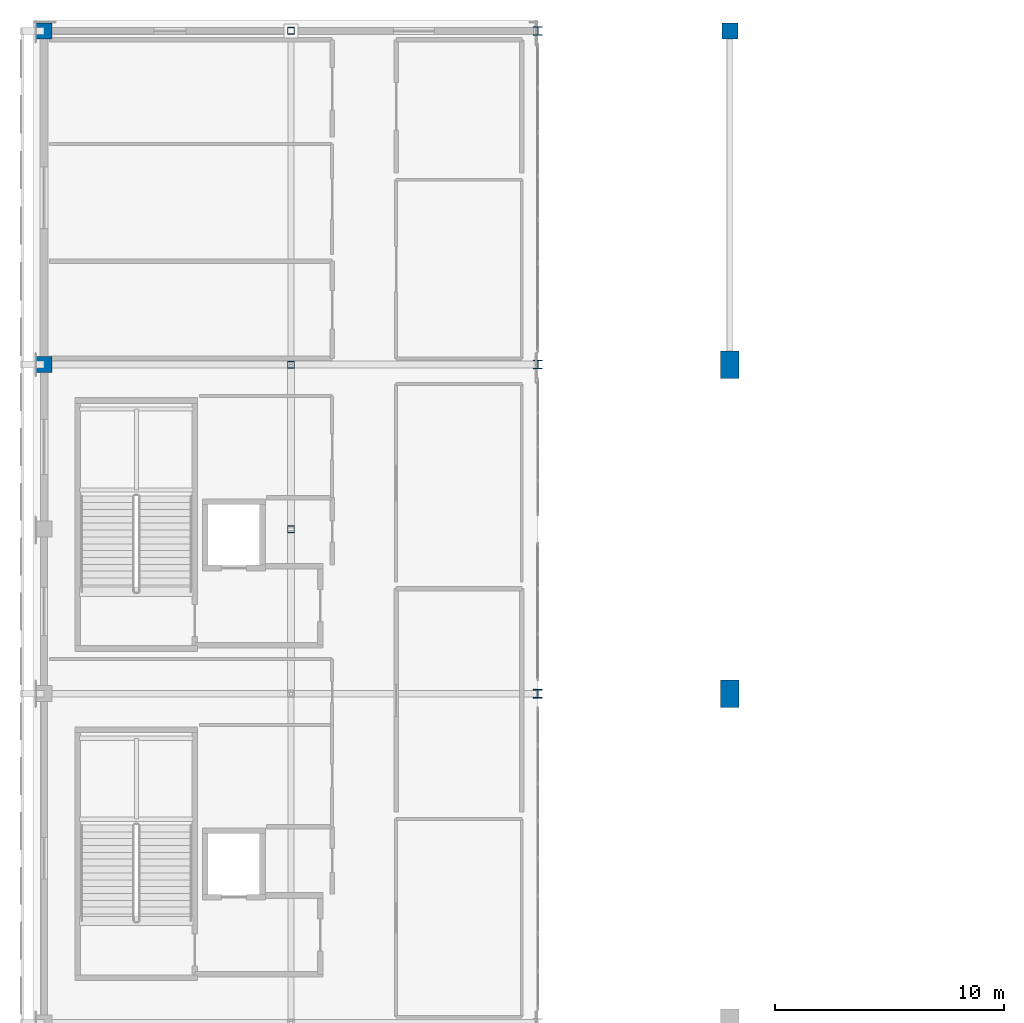
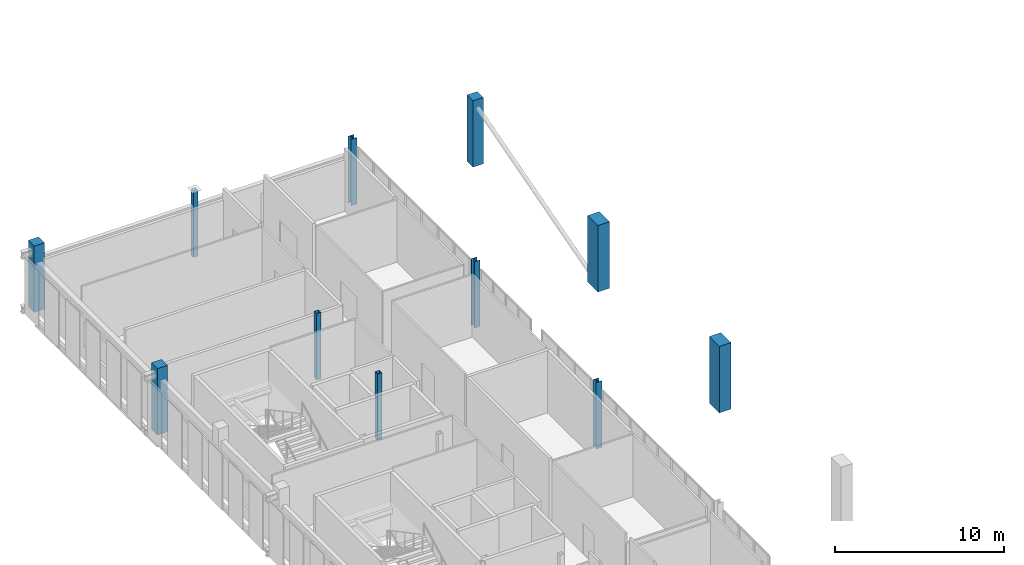
# One storey, part 3 of 51: 11 columns.
"""IFC4 building model written with IfcOpenShell, lengths in metres."""

import ifcopenshell
import ifcopenshell.guid

model = None  # the IFC model being written
_history = None  # IfcOwnerHistory: only IFC2X3 demands one
_inside = {}  # id of a spatial element -> (the spatial element, [elements in it])
_under = {}  # id of a project, library or spatial element -> (it, [spatial elements below it])
_declared = {}  # id of a project -> (the project, [libraries it declares])
_typed = {}  # id of a type object -> (the type object, [elements of that type])
_made_of = {}  # id of a material, layer set ... -> (it, [elements and type objects made of it])


def new_model(schema):
    """Start an empty IFC model of exactly this schema.

    Asked for "IFC4X3", IfcOpenShell would pick the latest addendum, in which some entities
    have other attributes; the version numbers below select the first issue.
    IFC2X3 requires an IfcOwnerHistory on every rooted entity: one is made here for all.
    """
    global model, _history
    if schema == "IFC4X3":
        model = ifcopenshell.file(schema_version=(4, 3, 0, 0))
    else:
        model = ifcopenshell.file(schema=schema)
    _inside.clear()
    _under.clear()
    _declared.clear()
    _typed.clear()
    _made_of.clear()
    _history = None
    if model.schema == "IFC2X3":
        org = make("IfcOrganization", Name="unknown")
        user = make(
            "IfcPersonAndOrganization",
            ThePerson=make("IfcPerson", FamilyName="unknown"),
            TheOrganization=org,
        )
        app = make(
            "IfcApplication",
            ApplicationDeveloper=org,
            Version="unknown",
            ApplicationFullName="unknown",
            ApplicationIdentifier="unknown",
        )
        _history = make(
            "IfcOwnerHistory",
            OwningUser=user,
            OwningApplication=app,
            ChangeAction="ADDED",
            CreationDate=0,
        )
    return model


def make(cls, **values):
    """One entity of the class cls with the attributes given. An attribute that is None is left unset."""
    return model.create_entity(
        cls, **{name: value for name, value in values.items() if value is not None}
    )


def rooted(cls, **values):
    """An entity with a GlobalId (a new one), such as an element, a storey or a relation."""
    return make(cls, GlobalId=ifcopenshell.guid.new(), OwnerHistory=_history, **values)


def si_unit(unit_type, name, prefix=None):
    """IfcSIUnit, for example si_unit("LENGTHUNIT", "METRE", prefix="MILLI")."""
    return make("IfcSIUnit", UnitType=unit_type, Prefix=prefix, Name=name)


def assignment(units):
    """IfcUnitAssignment: the units of a project."""
    return None if units is None else make("IfcUnitAssignment", Units=units)


def point(xyz):
    """IfcCartesianPoint."""
    return None if xyz is None else make("IfcCartesianPoint", Coordinates=xyz)


def direction(xyz):
    """IfcDirection."""
    return None if xyz is None else make("IfcDirection", DirectionRatios=xyz)


def frame(location, z_axis=None, x_axis=None):
    """IfcAxis2Placement3D, a coordinate frame: its origin and axes. An axis left out is left unset."""
    return make(
        "IfcAxis2Placement3D",
        Location=point(location),
        Axis=direction(z_axis),
        RefDirection=direction(x_axis),
    )


def frame_2d(location, x_axis=None):
    """IfcAxis2Placement2D, a coordinate frame in the plane: its origin and x axis."""
    return make(
        "IfcAxis2Placement2D", Location=point(location), RefDirection=direction(x_axis)
    )


def origin():
    """The frame at (0, 0, 0) with its axes left unset."""
    return frame((0.0, 0.0, 0.0))


def origin_2d():
    """The frame at (0, 0) in the plane with its x axis left unset."""
    return frame_2d((0.0, 0.0))


def place(relative_to, where):
    """IfcLocalPlacement: puts the frame where relative to a parent placement (None: the world)."""
    return make(
        "IfcLocalPlacement", PlacementRelTo=relative_to, RelativePlacement=where
    )


def context(
    kind, dimensions, precision=None, world=None, true_north=None, identifier=None
):
    """IfcGeometricRepresentationContext, for example the 3D "Model" context."""
    return make(
        "IfcGeometricRepresentationContext",
        ContextIdentifier=identifier,
        ContextType=kind,
        CoordinateSpaceDimension=dimensions,
        Precision=precision,
        WorldCoordinateSystem=world,
        TrueNorth=true_north,
    )


def subcontext(parent, identifier, kind, view, scale=None):
    """IfcGeometricRepresentationSubContext, for example "Body" below "Model"."""
    return make(
        "IfcGeometricRepresentationSubContext",
        ContextIdentifier=identifier,
        ContextType=kind,
        ParentContext=parent,
        TargetScale=scale,
        TargetView=view,
    )


def project(units=None, contexts=None):
    """IfcProject with its units and contexts."""
    return rooted(
        "IfcProject",
        Name="project",
        RepresentationContexts=contexts,
        UnitsInContext=assignment(units),
    )


def spatial(cls, under=None, at=None, **own):
    """A site, building, storey or space (cls), placed at a placement, below another one or the project."""
    s = rooted(cls, ObjectPlacement=at, **own)
    if under is not None:
        _under.setdefault(under.id(), (under, []))[1].append(s)
    return s


def profile(cls, at=None, kind="AREA", **sizes):
    """A parametric profile (cls). Its sizes go by their IFC names, for example OverallWidth=200.0."""
    return make(cls, ProfileType=kind, Position=at, **sizes)


def rectangle(**sizes):
    """IfcRectangleProfileDef."""
    return profile("IfcRectangleProfileDef", **sizes)


def hollow_rectangle(**sizes):
    """IfcRectangleHollowProfileDef."""
    return profile("IfcRectangleHollowProfileDef", **sizes)


def i_section(**sizes):
    """IfcIShapeProfileDef."""
    return profile("IfcIShapeProfileDef", **sizes)


def extrude(swept, where, along, depth):
    """IfcExtrudedAreaSolid: the profile swept, set in the frame where, extruded along a direction by depth."""
    return make(
        "IfcExtrudedAreaSolid",
        SweptArea=swept,
        Position=where,
        ExtrudedDirection=direction(along),
        Depth=depth,
    )


def shape(context_of_items, identifier, shape_type, items):
    """IfcShapeRepresentation: the items that make up one representation, for example the "Body"."""
    return make(
        "IfcShapeRepresentation",
        ContextOfItems=context_of_items,
        RepresentationIdentifier=identifier,
        RepresentationType=shape_type,
        Items=items,
    )


def material(Name=None, Category=None):
    """IfcMaterial."""
    return make("IfcMaterial", Name=Name, Category=Category)


def material_profile(
    of_material, cross_section, Name=None, Category=None, Priority=None
):
    """IfcMaterialProfile: a cross section and its material."""
    return make(
        "IfcMaterialProfile",
        Name=Name,
        Material=of_material,
        Profile=cross_section,
        Priority=Priority,
        Category=Category,
    )


def profile_set(profiles, Name=None, composite=None):
    """IfcMaterialProfileSet."""
    return make(
        "IfcMaterialProfileSet",
        Name=Name,
        MaterialProfiles=profiles,
        CompositeProfile=composite,
    )


def made_of(thing, what):
    """Note that an element or type object is made of a material, layer set ...; save() writes the relation."""
    if what is not None:
        _made_of.setdefault(what.id(), (what, []))[1].append(thing)
    return thing


def type_object(cls, material=None, **own):
    """A type object (cls), such as IfcWallType, which elements share."""
    return made_of(rooted(cls, **own), material)


def element(
    cls,
    number,
    at=None,
    inside=None,
    cuts=None,
    type_object=None,
    material=None,
    context=None,
    identifier="Body",
    shape_type=None,
    held_by="IfcProductDefinitionShape",
    body=None,
    shapes=None,
    **own,
):
    """One element of the class cls, such as IfcWall. Its Tag is "e" and its number.

    at: its placement. inside: the storey or other place that contains it. cuts: it is an
    opening in that element (IfcRelVoidsElement). A single representation is given by context,
    identifier, shape_type and body (its items); several are given by shapes. held_by: the class
    of the entity that holds the representations. save() writes the other relations.
    """
    e = rooted(cls, Tag="e%d" % number, ObjectPlacement=at, **own)
    if body is not None:
        shapes = [shape(context, identifier, shape_type, body)]
    if shapes is not None:
        e.Representation = make(held_by, Representations=shapes)
    if inside is not None:
        _inside.setdefault(inside.id(), (inside, []))[1].append(e)
    if cuts is not None:
        rooted(
            "IfcRelVoidsElement", RelatingBuildingElement=cuts, RelatedOpeningElement=e
        )
    if type_object is not None:
        _typed.setdefault(type_object.id(), (type_object, []))[1].append(e)
    return made_of(e, material)


def aggregate(whole, parts):
    """IfcRelAggregates: a whole, such as a stair, and the parts it consists of."""
    return rooted("IfcRelAggregates", RelatingObject=whole, RelatedObjects=parts)


def save(model, path):
    """Write the relations noted so far, then the file.

    IfcRelAggregates (storeys below a building ...), IfcRelContainedInSpatialStructure (elements
    in a storey), IfcRelDefinesByType, IfcRelAssociatesMaterial and IfcRelDeclares: one each for
    every whole, place, type object, material and project.
    """
    for whole, parts in _under.values():
        aggregate(whole, parts)
    for where, things in _inside.values():
        rooted(
            "IfcRelContainedInSpatialStructure",
            RelatedElements=things,
            RelatingStructure=where,
        )
    for kind, things in _typed.values():
        rooted("IfcRelDefinesByType", RelatedObjects=things, RelatingType=kind)
    for what, things in _made_of.values():
        rooted("IfcRelAssociatesMaterial", RelatedObjects=things, RelatingMaterial=what)
    for by, libraries in _declared.values():
        rooted("IfcRelDeclares", RelatingContext=by, RelatedDefinitions=libraries)
    model.write(path)


model = new_model("IFC4")

# Units and contexts
model_context = context("Model", 3, precision=1e-05, world=origin(), true_north=direction((0.0, 1.0)))
body_context = subcontext(model_context, "Body", "Model", "MODEL_VIEW")
ifc_project = project(units=[si_unit("LENGTHUNIT", "METRE"), si_unit("AREAUNIT", "SQUARE_METRE"), si_unit("VOLUMEUNIT", "CUBIC_METRE"), si_unit("PLANEANGLEUNIT", "RADIAN"), si_unit("MASSUNIT", "GRAM", prefix="KILO")], contexts=[model_context])

# Site, building, storey
site_placement = place(None, origin())
site = spatial("IfcSite", under=ifc_project, at=site_placement, CompositionType="ELEMENT")
building_placement = place(site_placement, origin())
building = spatial("IfcBuilding", under=site, at=building_placement, Name="Koshinbarg Plaza Stadium", CompositionType="ELEMENT")
storey_placement = place(building_placement, frame((0.0, 0.0, 24.60009765625)))
storey = spatial("IfcBuildingStorey", under=building, at=storey_placement, Name="L05", CompositionType="ELEMENT", Elevation=24.60009765625)

# Columns
ifc_material_1 = material(Name="Concrete C40/50", Category="concrete")
ifc_material_profile_1 = material_profile(ifc_material_1, rectangle(XDim=0.699951171875, YDim=0.699951171875, at=origin_2d()), Name="RC 700x700")
ifc_profile_set_1 = profile_set([ifc_material_profile_1], Name="Concrete C40/50")
column_type_1 = type_object("IfcColumnType", Name="COL-RC-06", PredefinedType="COLUMN", material=ifc_profile_set_1)
for number, where, z_axis, x_axis, name in (
    (1, (24.60009765625, 111.89990234375, 0.0), (0.0, 0.0, 1.0), (1.0, 0.0, 0.0), "L05 column 5/Q"),
    (2, (24.60009765625, 126.5, 0.0), (0.0, 0.0, 1.0), (1.0, 0.0, 0.0), "L05 column 5/R"),
    (3, (54.60009765625, 126.5, 0.0), (0.0, 0.0, 1.0), (1.0, 0.0, 0.0), "L05 column 8/R"),
):
    element("IfcColumn", number, at=place(storey_placement, frame(where, z_axis=z_axis, x_axis=x_axis)), inside=storey, type_object=column_type_1, Name=name, PredefinedType="COLUMN", context=body_context, shape_type="SweptSolid", body=[
        extrude(rectangle(XDim=0.699951171875, YDim=0.699951171875, at=origin_2d()), origin(), (0.0, 0.0, 1.0), 4.7998046875),
    ])
ifc_material_profile_2 = material_profile(ifc_material_1, rectangle(XDim=0.800048828125, YDim=1.199951171875, at=origin_2d()), Name="RC 800x1200")
ifc_profile_set_2 = profile_set([ifc_material_profile_2], Name="Concrete C40/50")
column_type_2 = type_object("IfcColumnType", Name="COL-RC-14", PredefinedType="COLUMN", material=ifc_profile_set_2)
for number, where, z_axis, x_axis, name in (
    (4, (54.60009765625, 97.5, 0.0), (0.0, 0.0, 1.0), (1.0, 0.0, 0.0), "L05 column 8/N"),
    (5, (54.60009765625, 111.89990234375, 0.0), (0.0, 0.0, 1.0), (1.0, 0.0, 0.0), "L05 column 8/Q"),
):
    element("IfcColumn", number, at=place(storey_placement, frame(where, z_axis=z_axis, x_axis=x_axis)), inside=storey, type_object=column_type_2, Name=name, PredefinedType="COLUMN", context=body_context, shape_type="SweptSolid", body=[
        extrude(rectangle(XDim=0.800048828125, YDim=1.199951171875, at=origin_2d()), origin(), (0.0, 0.0, 1.0), 4.7998046875),
    ])
ifc_material_2 = material(Name="Steel S355", Category="steel")
ifc_material_profile_3 = material_profile(ifc_material_2, i_section(OverallWidth=0.39501953125, OverallDepth=0.3798828125, WebThickness=0.018798828125, FlangeThickness=0.0302734375, at=origin_2d()), Name="HD 400x237")
ifc_profile_set_3 = profile_set([ifc_material_profile_3], Name="Steel S355")
column_type_3 = type_object("IfcColumnType", Name="COL-STL-01", PredefinedType="COLUMN", material=ifc_profile_set_3)
for number, where, z_axis, x_axis, name in (
    (6, (46.199951171875, 97.5, 0.0), (0.0, 0.0, 1.0), (1.0, 0.0, 0.0), "L05 column 7/N"),
    (7, (46.199951171875, 111.89990234375, 0.0), (0.0, 0.0, 1.0), (1.0, 0.0, 0.0), "L05 column 7/Q"),
    (8, (46.199951171875, 126.5, 0.0), (0.0, 0.0, 1.0), (1.0, 0.0, 0.0), "L05 column 7/R"),
):
    element("IfcColumn", number, at=place(storey_placement, frame(where, z_axis=z_axis, x_axis=x_axis)), inside=storey, type_object=column_type_3, Name=name, PredefinedType="COLUMN", context=body_context, shape_type="SweptSolid", body=[
        extrude(i_section(OverallWidth=0.39501953125, OverallDepth=0.3798828125, WebThickness=0.018798828125, FlangeThickness=0.0302734375, at=origin_2d()), origin(), (0.0, 0.0, 1.0), 4.7998046875),
    ])
ifc_material_profile_4 = material_profile(ifc_material_2, hollow_rectangle(XDim=0.300048828125, YDim=0.300048828125, WallThickness=0.01611328125, at=origin_2d()), Name="SHS 300x300x16")
ifc_profile_set_4 = profile_set([ifc_material_profile_4], Name="Steel S355")
column_type_4 = type_object("IfcColumnType", Name="COL-STL-06", PredefinedType="COLUMN", material=ifc_profile_set_4)
for number, where, z_axis, x_axis, name in (
    (9, (35.39990234375, 104.699951171875, 0.0), (0.0, 0.0, 1.0), (1.0, 0.0, 0.0), "L05 column 6/P"),
    (10, (35.39990234375, 111.89990234375, 0.0), (0.0, 0.0, 1.0), (1.0, 0.0, 0.0), "L05 column 6/Q"),
    (11, (35.39990234375, 126.5, 0.0), (0.0, 0.0, 1.0), (1.0, 0.0, 0.0), "L05 column 6/R"),
):
    element("IfcColumn", number, at=place(storey_placement, frame(where, z_axis=z_axis, x_axis=x_axis)), inside=storey, type_object=column_type_4, Name=name, PredefinedType="COLUMN", context=body_context, shape_type="SweptSolid", body=[
        extrude(hollow_rectangle(XDim=0.300048828125, YDim=0.300048828125, WallThickness=0.01611328125, at=origin_2d()), origin(), (0.0, 0.0, 1.0), 4.7998046875),
    ])

save(model, "model.ifc")
